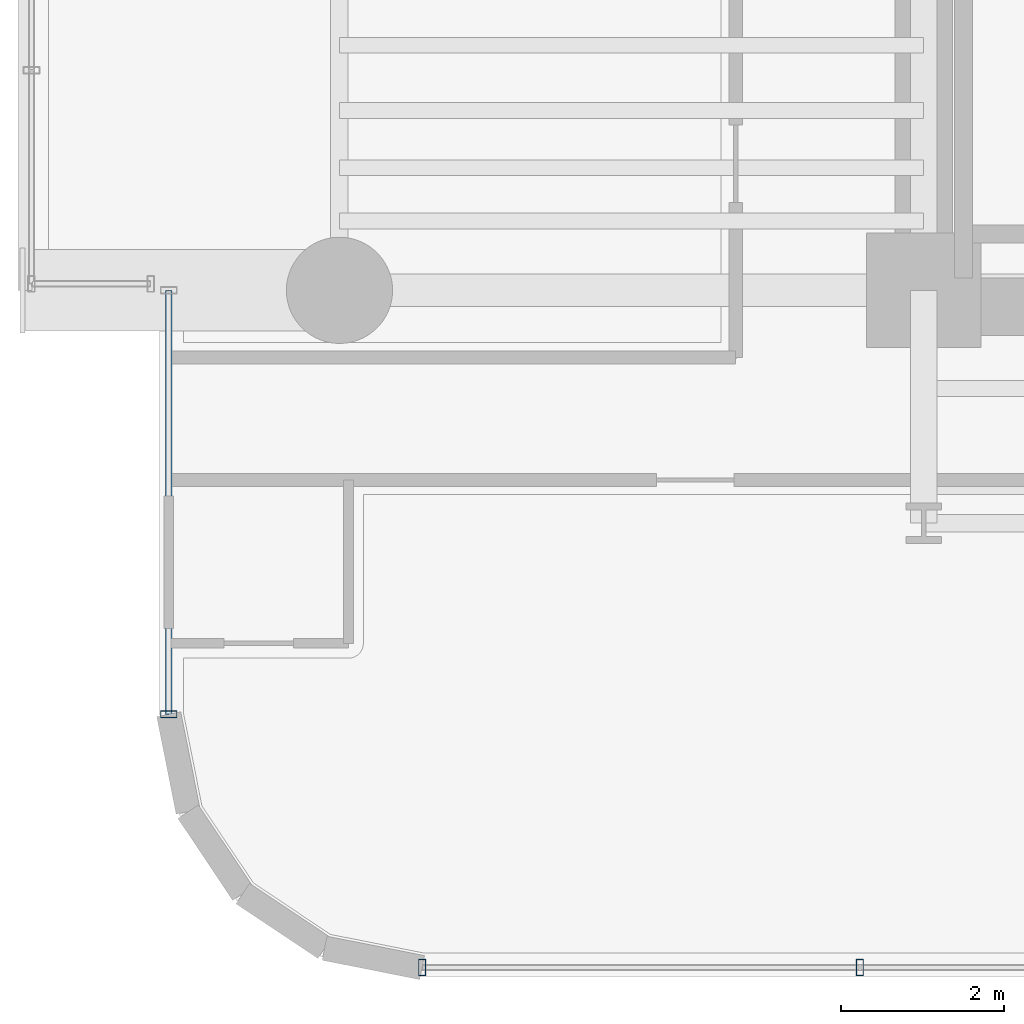
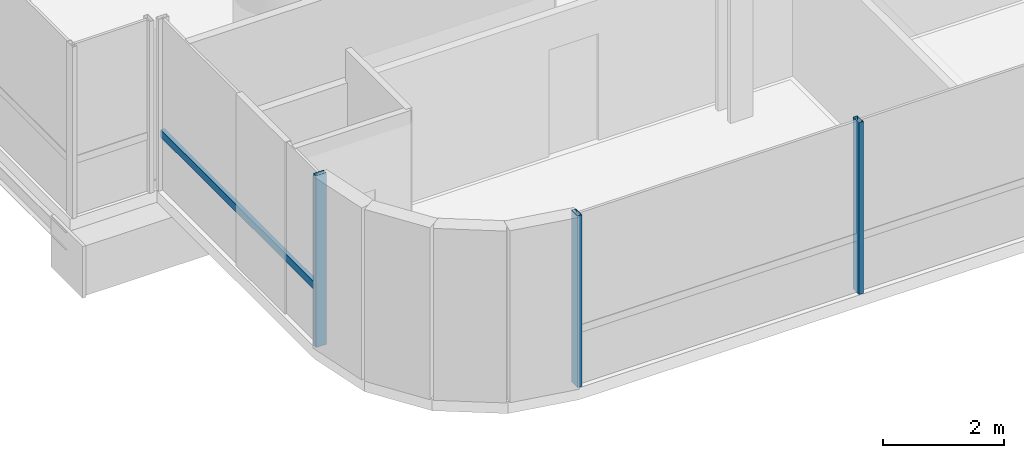
# One storey, part 2 of 42: 4 members, 2 elements without a shape of their own.
"""IFC4 building model written with IfcOpenShell, lengths in metres."""

from ifc_helpers import new_model, si_unit, direction, frame, origin, origin_2d, place, context, subcontext, project, spatial, hollow_rectangle, extrude, source, transform, mapped, material, material_profile, profile_set, type_object, element, aggregate, save


model = new_model("IFC4")

# Units and contexts
model_context = context("Model", 3, precision=1e-05, world=origin(), true_north=direction((0.0, 1.0)))
body_context = subcontext(model_context, "Body", "Model", "MODEL_VIEW")
ifc_project = project(units=[si_unit("LENGTHUNIT", "METRE"), si_unit("AREAUNIT", "SQUARE_METRE"), si_unit("VOLUMEUNIT", "CUBIC_METRE"), si_unit("PLANEANGLEUNIT", "RADIAN"), si_unit("MASSUNIT", "GRAM", prefix="KILO")], contexts=[model_context])

# Site, building, storey
site_placement = place(None, origin())
site = spatial("IfcSite", under=ifc_project, at=site_placement, CompositionType="ELEMENT")
building_placement = place(site_placement, origin())
building = spatial("IfcBuilding", under=site, at=building_placement, Name="Valdorenza Pilgrim Sanctuary Tower", CompositionType="ELEMENT")
storey_placement = place(building_placement, frame((0.0, 0.0, 29.699951171875)))
storey = spatial("IfcBuildingStorey", under=building, at=storey_placement, Name="L06", CompositionType="ELEMENT", Elevation=29.699951171875)

# Curtain wall, member
ifc_material_1 = material(Name="Curtain-wall IGU glazing", Category="glass")
curtain_wall_type = type_object("IfcCurtainWallType", Name="CW-SYS-02", PredefinedType="NOTDEFINED", material=ifc_material_1)
curtain_wall_1_placement = place(storey_placement, origin())
curtain_wall_1 = element("IfcCurtainWall", 1, at=curtain_wall_1_placement, inside=storey, type_object=curtain_wall_type, Name="L06 Curtain Wall CW-L06-1-1S1", PredefinedType="NOTDEFINED")
ifc_material_2 = material(Name="Anodised aluminium AW-6060", Category="aluminium")
ifc_material_profile_1 = material_profile(ifc_material_2, hollow_rectangle(XDim=0.0849609375, YDim=0.199951171875, WallThickness=0.0048828125, at=origin_2d()), Name="ALU-M 200x85x5")
ifc_profile_set_1 = profile_set([ifc_material_profile_1], Name="Anodised aluminium AW-6060")
member_type_1 = type_object("IfcMemberType", Name="CW-MUL-02", PredefinedType="MULLION", material=ifc_profile_set_1)
shared_shape_1 = source(origin(), body_context, "Body", "SweptSolid", [
    extrude(hollow_rectangle(XDim=0.0849609375, YDim=0.199951171875, WallThickness=0.0048828125, at=origin_2d()), origin(), (0.0, 0.0, 1.0), 3.4599609375),
])
member_1_placement = place(storey_placement, frame((-31.889892578125, -15.789306640625, 0.0), z_axis=(0.0, 0.0, 1.0), x_axis=(0.0, 1.0, 0.0)))
member_1 = element("IfcMember", 2, at=member_1_placement, type_object=member_type_1, Name="CW-L06-1-1S1 Mullion 1", PredefinedType="MULLION", context=body_context, shape_type="MappedRepresentation", body=[
    mapped(shared_shape_1, transform((0.0, 0.0, 0.0), x_axis=(1.0, 0.0, 0.0), y_axis=(0.0, 1.0, 0.0), z_axis=(0.0, 0.0, 1.0), scale=1.0)),
])

# Curtain wall, members
curtain_wall_2_placement = place(storey_placement, origin())
curtain_wall_2 = element("IfcCurtainWall", 3, at=curtain_wall_2_placement, inside=storey, type_object=curtain_wall_type, Name="L06 Curtain Wall CW-L06-1-46", PredefinedType="NOTDEFINED")
member_2_placement = place(storey_placement, frame((-23.4296875, -18.889892578125, 0.0), z_axis=(0.0, 0.0, 1.0), x_axis=(-1.0, 0.0, 0.0)))
member_2 = element("IfcMember", 4, at=member_2_placement, type_object=member_type_1, Name="CW-L06-1-46 Mullion 3", PredefinedType="MULLION", context=body_context, shape_type="MappedRepresentation", body=[
    mapped(shared_shape_1, transform((0.0, 0.0, 0.0), x_axis=(1.0, 0.0, 0.0), y_axis=(0.0, 1.0, 0.0), z_axis=(0.0, 0.0, 1.0), scale=1.0)),
])
member_3_placement = place(storey_placement, frame((-28.789306640625, -18.889892578125, 0.0), z_axis=(0.0, 0.0, 1.0), x_axis=(-1.0, 0.0, 0.0)))
member_3 = element("IfcMember", 5, at=member_3_placement, type_object=member_type_1, Name="CW-L06-1-46 Mullion 4", PredefinedType="MULLION", context=body_context, shape_type="MappedRepresentation", body=[
    mapped(shared_shape_1, transform((0.0, 0.0, 0.0), x_axis=(1.0, 0.0, 0.0), y_axis=(0.0, 1.0, 0.0), z_axis=(0.0, 0.0, 1.0), scale=1.0)),
])
aggregate(curtain_wall_2, [member_2, member_3])

# Member
ifc_material_profile_2 = material_profile(ifc_material_2, hollow_rectangle(XDim=0.074951171875, YDim=0.14990234375, WallThickness=0.00390625, at=origin_2d()), Name="ALU-T 150x75x4")
ifc_profile_set_2 = profile_set([ifc_material_profile_2], Name="Anodised aluminium AW-6060")
member_type_2 = type_object("IfcMemberType", Name="CW-TRN-02", PredefinedType="USERDEFINED", material=ifc_profile_set_2)
shared_shape_2 = source(origin(), body_context, "Body", "SweptSolid", [
    extrude(hollow_rectangle(XDim=0.074951171875, YDim=0.14990234375, WallThickness=0.00390625, at=origin_2d()), origin(), (0.0, 0.0, 1.0), 5.189208984375),
])
member_4_placement = place(storey_placement, frame((-31.889892578125, -15.789306640625, 1.1201171875), z_axis=(0.0, 1.0, 0.0), x_axis=(-1.0, 0.0, 0.0)))
member_4 = element("IfcMember", 6, at=member_4_placement, type_object=member_type_2, Name="CW-L06-1-1S1 Transom 1", ObjectType="TRANSOM", PredefinedType="USERDEFINED", context=body_context, shape_type="MappedRepresentation", body=[
    mapped(shared_shape_2, transform((0.0, 0.0, 0.0), x_axis=(1.0, 0.0, 0.0), y_axis=(0.0, 1.0, 0.0), z_axis=(0.0, 0.0, 1.0), scale=1.0)),
])

aggregate(curtain_wall_1, [member_1, member_4])

save(model, "model.ifc")
